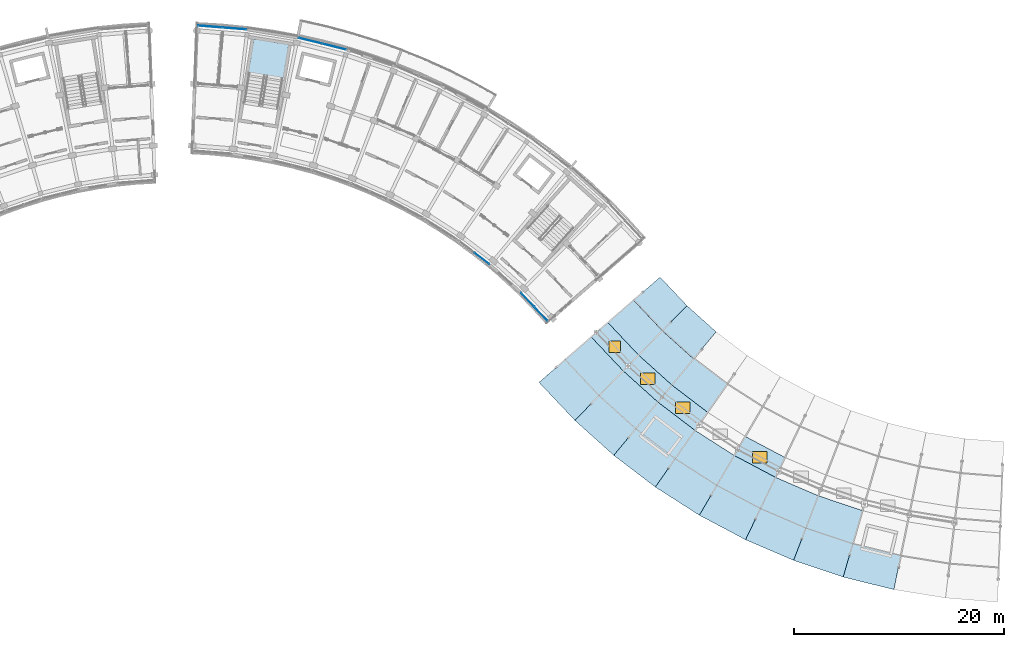
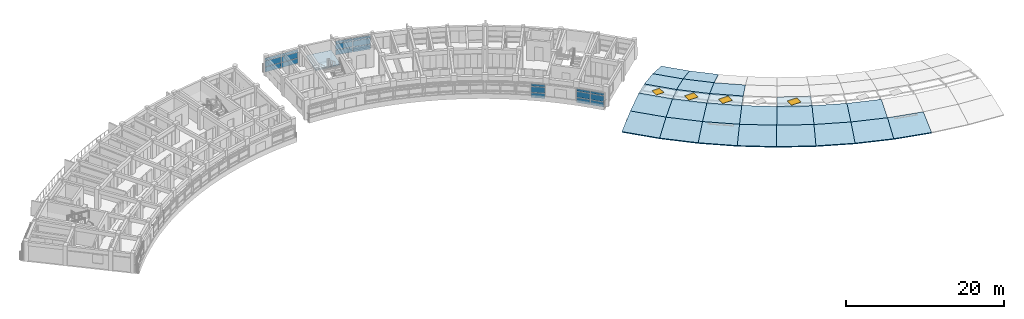
# One storey, part 21 of 40: 25 slabs, 21 plates, 4 windows, 4 openings, 5 elements without a shape of their own.
"""IFC4 building model written with IfcOpenShell, lengths in metres."""

from ifc_helpers import new_model, si_unit, direction, frame, origin, origin_2d, place, context, subcontext, project, spatial, polyline, rectangle, outline, extrude, material, layer, layer_set, type_object, element, fill, aggregate, save


model = new_model("IFC4")

# Units and contexts
model_context = context("Model", 3, precision=1e-05, world=origin(), true_north=direction((0.0, 1.0)))
body_context = subcontext(model_context, "Body", "Model", "MODEL_VIEW")
ifc_project = project(units=[si_unit("LENGTHUNIT", "METRE"), si_unit("AREAUNIT", "SQUARE_METRE"), si_unit("VOLUMEUNIT", "CUBIC_METRE"), si_unit("PLANEANGLEUNIT", "RADIAN"), si_unit("MASSUNIT", "GRAM", prefix="KILO")], contexts=[model_context])

# Site, building, storey
site_placement = place(None, origin())
site = spatial("IfcSite", under=ifc_project, at=site_placement, CompositionType="ELEMENT")
building_placement = place(site_placement, origin())
building = spatial("IfcBuilding", under=site, at=building_placement, Name="Zimvara Arc Housing Community", CompositionType="ELEMENT")
storey_placement = place(building_placement, frame((0.0, 0.0, 32.89990234375)))
storey = spatial("IfcBuildingStorey", under=building, at=storey_placement, Name="L10", CompositionType="ELEMENT", Elevation=32.89990234375)

# Curtain wall, plates
ifc_material_1 = material(Name="Anodised Aluminium AW-6063", Category="aluminium")
curtain_wall_type_1 = type_object("IfcCurtainWallType", Name="CW-SYS-04", PredefinedType="USERDEFINED", material=ifc_material_1)
curtain_wall_1_placement = place(storey_placement, origin())
curtain_wall_1 = element("IfcCurtainWall", 1, at=curtain_wall_1_placement, inside=storey, type_object=curtain_wall_type_1, Name="cw:blkB:L10:in:b9", ObjectType="CURTAIN WALL", PredefinedType="USERDEFINED")
ifc_material_2 = material(Name="Pale-Gold Anodised Aluminium Spandrel Panel", Category="aluminium")
ifc_layer_1 = layer(ifc_material_2, 0.035888671875)
ifc_layer_set_1 = layer_set([ifc_layer_1], Name="Pale-Gold Anodised Aluminium Spandrel Panel")
plate_type_1 = type_object("IfcPlateType", Name="CWP-GLD-36", PredefinedType="CURTAIN_PANEL", material=ifc_layer_set_1)
plate_1_placement = place(storey_placement, frame((78.826904296875, 77.68896484375, 0.065185546875), z_axis=(0.0, 0.0, 1.0), x_axis=(0.686326336018, -0.727293723669, 0.0)))
plate_1 = element("IfcPlate", 2, at=plate_1_placement, type_object=plate_type_1, Name="CW04 panel 1.1", PredefinedType="CURTAIN_PANEL", context=body_context, shape_type="SweptSolid", body=[
    extrude(rectangle(XDim=1.778564453125, YDim=0.035888671875, at=origin_2d()), origin(), (0.0, 0.0, 1.0), 0.75244140625),
])
plate_2_placement = place(storey_placement, frame((78.826904296875, 77.68896484375, 0.8828125), z_axis=(0.0, 0.0, 1.0), x_axis=(0.686326336018, -0.727293723669, 0.0)))
plate_2 = element("IfcPlate", 3, at=plate_2_placement, type_object=plate_type_1, Name="CW04 panel 1.2", PredefinedType="CURTAIN_PANEL", context=body_context, shape_type="SweptSolid", body=[
    extrude(rectangle(XDim=1.778564453125, YDim=0.035888671875, at=origin_2d()), origin(), (0.0, 0.0, 1.0), 0.885009765625),
])
plate_3_placement = place(storey_placement, frame((78.826904296875, 77.68896484375, 1.83251953125), z_axis=(0.0, 0.0, 1.0), x_axis=(0.686326336018, -0.727293723669, 0.0)))
plate_3 = element("IfcPlate", 4, at=plate_3_placement, type_object=plate_type_1, Name="CW04 panel 1.3", PredefinedType="CURTAIN_PANEL", context=body_context, shape_type="SweptSolid", body=[
    extrude(rectangle(XDim=1.778564453125, YDim=0.035888671875, at=origin_2d()), origin(), (0.0, 0.0, 1.0), 0.3525390625),
])
plate_4_placement = place(storey_placement, frame((80.09228515625, 76.34814453125, 0.065185546875), z_axis=(0.0, 0.0, 1.0), x_axis=(0.686326336018, -0.727293723669, 0.0)))
plate_4 = element("IfcPlate", 5, at=plate_4_placement, type_object=plate_type_1, Name="CW04 panel 2.1", PredefinedType="CURTAIN_PANEL", context=body_context, shape_type="SweptSolid", body=[
    extrude(rectangle(XDim=1.778564453125, YDim=0.035888671875, at=origin_2d()), origin(), (0.0, 0.0, 1.0), 0.75244140625),
])
plate_5_placement = place(storey_placement, frame((80.09228515625, 76.34814453125, 0.8828125), z_axis=(0.0, 0.0, 1.0), x_axis=(0.686326336018, -0.727293723669, 0.0)))
plate_5 = element("IfcPlate", 6, at=plate_5_placement, type_object=plate_type_1, Name="CW04 panel 2.2", PredefinedType="CURTAIN_PANEL", context=body_context, shape_type="SweptSolid", body=[
    extrude(rectangle(XDim=1.778564453125, YDim=0.035888671875, at=origin_2d()), origin(), (0.0, 0.0, 1.0), 0.885009765625),
])
plate_6_placement = place(storey_placement, frame((80.09228515625, 76.34814453125, 1.83251953125), z_axis=(0.0, 0.0, 1.0), x_axis=(0.686326336018, -0.727293723669, 0.0)))
plate_6 = element("IfcPlate", 7, at=plate_6_placement, type_object=plate_type_1, Name="CW04 panel 2.3", PredefinedType="CURTAIN_PANEL", context=body_context, shape_type="SweptSolid", body=[
    extrude(rectangle(XDim=1.778564453125, YDim=0.035888671875, at=origin_2d()), origin(), (0.0, 0.0, 1.0), 0.3525390625),
])
aggregate(curtain_wall_1, [plate_1, plate_2, plate_3, plate_4, plate_5, plate_6])

ifc_material_3 = material(Name="Anodised Aluminium AW-6063", Category="aluminium")
curtain_wall_type_2 = type_object("IfcCurtainWallType", Name="CW-SYS-01", PredefinedType="USERDEFINED", material=ifc_material_3)
curtain_wall_2_placement = place(storey_placement, origin())
curtain_wall_2 = element("IfcCurtainWall", 8, at=curtain_wall_2_placement, inside=storey, type_object=curtain_wall_type_2, Name="cw:blkB:L10:out:b2", ObjectType="CURTAIN WALL", PredefinedType="USERDEFINED")
ifc_material_4 = material(Name="Solar Control Low-E Double Glazing", Category="glass")
ifc_layer_2 = layer(ifc_material_4, 0.02392578125)
ifc_layer_set_2 = layer_set([ifc_layer_2], Name="Solar Control Low-E Double Glazing")
plate_type_2 = type_object("IfcPlateType", Name="CWP-GLZ-24", PredefinedType="CURTAIN_PANEL", material=ifc_layer_set_2)
plate_7_placement = place(storey_placement, frame((58.12109375, 102.373291015625, 0.065185546875), z_axis=(0.0, 0.0, 1.0), x_axis=(0.970716068627, -0.240229711131, 0.0)))
plate_7 = element("IfcPlate", 9, at=plate_7_placement, type_object=plate_type_2, Name="CW01 panel 1.1", PredefinedType="CURTAIN_PANEL", context=body_context, shape_type="SweptSolid", body=[
    extrude(rectangle(XDim=2.266845703125, YDim=0.02392578125, at=origin_2d()), origin(), (0.0, 0.0, 1.0), 0.75244140625),
])
plate_8_placement = place(storey_placement, frame((58.12109375, 102.373291015625, 0.8828125), z_axis=(0.0, 0.0, 1.0), x_axis=(0.970716068627, -0.240229711131, 0.0)))
plate_8 = element("IfcPlate", 10, at=plate_8_placement, type_object=plate_type_2, Name="CW01 panel 1.2", PredefinedType="CURTAIN_PANEL", context=body_context, shape_type="SweptSolid", body=[
    extrude(rectangle(XDim=2.266845703125, YDim=0.02392578125, at=origin_2d()), origin(), (0.0, 0.0, 1.0), 0.885009765625),
])
plate_9_placement = place(storey_placement, frame((58.12109375, 102.373291015625, 1.83251953125), z_axis=(0.0, 0.0, 1.0), x_axis=(0.970716068627, -0.240229711131, 0.0)))
plate_9 = element("IfcPlate", 11, at=plate_9_placement, type_object=plate_type_2, Name="CW01 panel 1.3", PredefinedType="CURTAIN_PANEL", context=body_context, shape_type="SweptSolid", body=[
    extrude(rectangle(XDim=2.266845703125, YDim=0.02392578125, at=origin_2d()), origin(), (0.0, 0.0, 1.0), 0.3525390625),
])
plate_10_placement = place(storey_placement, frame((60.384765625, 101.81298828125, 0.065185546875), z_axis=(0.0, 0.0, 1.0), x_axis=(0.970716068627, -0.240229711131, 0.0)))
plate_10 = element("IfcPlate", 12, at=plate_10_placement, type_object=plate_type_2, Name="CW01 panel 2.1", PredefinedType="CURTAIN_PANEL", context=body_context, shape_type="SweptSolid", body=[
    extrude(rectangle(XDim=2.266845703125, YDim=0.02392578125, at=origin_2d()), origin(), (0.0, 0.0, 1.0), 0.75244140625),
])
plate_11_placement = place(storey_placement, frame((60.384765625, 101.81298828125, 0.8828125), z_axis=(0.0, 0.0, 1.0), x_axis=(0.970716068627, -0.240229711131, 0.0)))
plate_11 = element("IfcPlate", 13, at=plate_11_placement, type_object=plate_type_2, Name="CW01 panel 2.2", PredefinedType="CURTAIN_PANEL", context=body_context, shape_type="SweptSolid", body=[
    extrude(rectangle(XDim=2.266845703125, YDim=0.02392578125, at=origin_2d()), origin(), (0.0, 0.0, 1.0), 0.885009765625),
])
plate_12_placement = place(storey_placement, frame((60.384765625, 101.81298828125, 1.83251953125), z_axis=(0.0, 0.0, 1.0), x_axis=(0.970716068627, -0.240229711131, 0.0)))
plate_12 = element("IfcPlate", 14, at=plate_12_placement, type_object=plate_type_2, Name="CW01 panel 2.3", PredefinedType="CURTAIN_PANEL", context=body_context, shape_type="SweptSolid", body=[
    extrude(rectangle(XDim=2.266845703125, YDim=0.02392578125, at=origin_2d()), origin(), (0.0, 0.0, 1.0), 0.3525390625),
])
aggregate(curtain_wall_2, [plate_7, plate_8, plate_9, plate_10, plate_11, plate_12])

ifc_material_5 = material(Name="Anodised Aluminium AW-6063", Category="aluminium")
curtain_wall_type_3 = type_object("IfcCurtainWallType", Name="CW-SYS-02", PredefinedType="USERDEFINED", material=ifc_material_5)
curtain_wall_3_placement = place(storey_placement, origin())
curtain_wall_3 = element("IfcCurtainWall", 15, at=curtain_wall_3_placement, inside=storey, type_object=curtain_wall_type_3, Name="cw:blkB:L10:in:b7", ObjectType="CURTAIN WALL", PredefinedType="USERDEFINED")
ifc_material_6 = material(Name="Solar Control Low-E Double Glazing", Category="glass")
ifc_layer_3 = layer(ifc_material_6, 0.028076171875)
ifc_layer_set_3 = layer_set([ifc_layer_3], Name="Solar Control Low-E Double Glazing")
plate_type_3 = type_object("IfcPlateType", Name="CWP-GLZ-28", PredefinedType="CURTAIN_PANEL", material=ifc_layer_set_3)
plate_13_placement = place(storey_placement, frame((74.4453125, 81.63134765625, 0.065185546875), z_axis=(0.0, 0.0, 1.0), x_axis=(0.795473930895, -0.605987809503, 0.0)))
plate_13 = element("IfcPlate", 16, at=plate_13_placement, type_object=plate_type_3, Name="CW02 panel 2.1", PredefinedType="CURTAIN_PANEL", context=body_context, shape_type="SweptSolid", body=[
    extrude(rectangle(XDim=1.778564453125, YDim=0.028076171875, at=origin_2d()), origin(), (0.0, 0.0, 1.0), 0.75244140625),
])
plate_14_placement = place(storey_placement, frame((74.4453125, 81.63134765625, 0.8828125), z_axis=(0.0, 0.0, 1.0), x_axis=(0.795473930895, -0.605987809503, 0.0)))
plate_14 = element("IfcPlate", 17, at=plate_14_placement, type_object=plate_type_3, Name="CW02 panel 2.2", PredefinedType="CURTAIN_PANEL", context=body_context, shape_type="SweptSolid", body=[
    extrude(rectangle(XDim=1.778564453125, YDim=0.028076171875, at=origin_2d()), origin(), (0.0, 0.0, 1.0), 0.885009765625),
])
plate_15_placement = place(storey_placement, frame((74.4453125, 81.63134765625, 1.83251953125), z_axis=(0.0, 0.0, 1.0), x_axis=(0.795473930895, -0.605987809503, 0.0)))
plate_15 = element("IfcPlate", 18, at=plate_15_placement, type_object=plate_type_3, Name="CW02 panel 2.3", PredefinedType="CURTAIN_PANEL", context=body_context, shape_type="SweptSolid", body=[
    extrude(rectangle(XDim=1.778564453125, YDim=0.028076171875, at=origin_2d()), origin(), (0.0, 0.0, 1.0), 0.3525390625),
])
aggregate(curtain_wall_3, [plate_13, plate_14, plate_15])

ifc_material_7 = material(Name="Anodised Aluminium AW-6063", Category="aluminium")
curtain_wall_type_4 = type_object("IfcCurtainWallType", Name="CW-SYS-07", PredefinedType="USERDEFINED", material=ifc_material_7)
curtain_wall_4_placement = place(storey_placement, origin())
curtain_wall_4 = element("IfcCurtainWall", 19, at=curtain_wall_4_placement, inside=storey, type_object=curtain_wall_type_4, Name="cw:blkB:L10:out:b0", ObjectType="CURTAIN WALL", PredefinedType="USERDEFINED")
ifc_material_8 = material(Name="Acoustic Laminated Solar Glazing", Category="glass")
ifc_layer_4 = layer(ifc_material_8, 0.031982421875)
ifc_layer_set_4 = layer_set([ifc_layer_4], Name="Acoustic Laminated Solar Glazing")
plate_type_4 = type_object("IfcPlateType", Name="CWP-GLZ-32", PredefinedType="CURTAIN_PANEL", material=ifc_layer_set_4)
plate_16_placement = place(storey_placement, frame((48.533935546875, 103.736572265625, 0.065185546875), z_axis=(0.0, 0.0, 1.0), x_axis=(0.996862418963, -0.079153759607, 0.0)))
plate_16 = element("IfcPlate", 20, at=plate_16_placement, type_object=plate_type_4, Name="CW07 panel 1.1", PredefinedType="CURTAIN_PANEL", context=body_context, shape_type="SweptSolid", body=[
    extrude(rectangle(XDim=2.266845703125, YDim=0.031982421875, at=origin_2d()), origin(), (0.0, 0.0, 1.0), 0.75244140625),
])
plate_17_placement = place(storey_placement, frame((48.533935546875, 103.736572265625, 0.8828125), z_axis=(0.0, 0.0, 1.0), x_axis=(0.996862418963, -0.079153759607, 0.0)))
plate_17 = element("IfcPlate", 21, at=plate_17_placement, type_object=plate_type_4, Name="CW07 panel 1.2", PredefinedType="CURTAIN_PANEL", context=body_context, shape_type="SweptSolid", body=[
    extrude(rectangle(XDim=2.266845703125, YDim=0.031982421875, at=origin_2d()), origin(), (0.0, 0.0, 1.0), 0.885009765625),
])
plate_18_placement = place(storey_placement, frame((48.533935546875, 103.736572265625, 1.83251953125), z_axis=(0.0, 0.0, 1.0), x_axis=(0.996862418963, -0.079153759607, 0.0)))
plate_18 = element("IfcPlate", 22, at=plate_18_placement, type_object=plate_type_4, Name="CW07 panel 1.3", PredefinedType="CURTAIN_PANEL", context=body_context, shape_type="SweptSolid", body=[
    extrude(rectangle(XDim=2.266845703125, YDim=0.031982421875, at=origin_2d()), origin(), (0.0, 0.0, 1.0), 0.3525390625),
])
plate_19_placement = place(storey_placement, frame((50.858642578125, 103.552001953125, 0.065185546875), z_axis=(0.0, 0.0, 1.0), x_axis=(0.996862418963, -0.079153759607, 0.0)))
plate_19 = element("IfcPlate", 23, at=plate_19_placement, type_object=plate_type_4, Name="CW07 panel 2.1", PredefinedType="CURTAIN_PANEL", context=body_context, shape_type="SweptSolid", body=[
    extrude(rectangle(XDim=2.266845703125, YDim=0.031982421875, at=origin_2d()), origin(), (0.0, 0.0, 1.0), 0.75244140625),
])
plate_20_placement = place(storey_placement, frame((50.858642578125, 103.552001953125, 0.8828125), z_axis=(0.0, 0.0, 1.0), x_axis=(0.996862418963, -0.079153759607, 0.0)))
plate_20 = element("IfcPlate", 24, at=plate_20_placement, type_object=plate_type_4, Name="CW07 panel 2.2", PredefinedType="CURTAIN_PANEL", context=body_context, shape_type="SweptSolid", body=[
    extrude(rectangle(XDim=2.266845703125, YDim=0.031982421875, at=origin_2d()), origin(), (0.0, 0.0, 1.0), 0.885009765625),
])
plate_21_placement = place(storey_placement, frame((50.858642578125, 103.552001953125, 1.83251953125), z_axis=(0.0, 0.0, 1.0), x_axis=(0.996862418963, -0.079153759607, 0.0)))
plate_21 = element("IfcPlate", 25, at=plate_21_placement, type_object=plate_type_4, Name="CW07 panel 2.3", PredefinedType="CURTAIN_PANEL", context=body_context, shape_type="SweptSolid", body=[
    extrude(rectangle(XDim=2.266845703125, YDim=0.031982421875, at=origin_2d()), origin(), (0.0, 0.0, 1.0), 0.3525390625),
])
aggregate(curtain_wall_4, [plate_16, plate_17, plate_18, plate_19, plate_20, plate_21])

# Slabs
ifc_material_9 = material(Name="Concrete C40/50", Category="concrete")
ifc_layer_5 = layer(ifc_material_9, 0.179931640625)
ifc_layer_set_5 = layer_set([ifc_layer_5], Name="Concrete C40/50")
slab_type_1 = type_object("IfcSlabType", Name="SLB-BRL-ROOF-180", PredefinedType="ROOF", material=ifc_layer_set_5)
slab_1_placement = place(storey_placement, frame((91.4521484375, 79.84521484375, 0.1201171875), z_axis=(0.211083328585, 0.199193243861, 0.956956571634), x_axis=(0.686322533691, -0.727297311796, 1.531829e-06)))
element("IfcSlab", 26, at=slab_1_placement, inside=storey, type_object=slab_type_1, Name="roof:blkC:in1:b0:t0", PredefinedType="ROOF", context=body_context, shape_type="SweptSolid", body=[
    extrude(outline(polyline([(0.0, 0.0), (3.7358034745605577, -2.220446049250313e-16), (3.870408277115803, -3.4455091182631974), (-0.13498802505948287, -3.445549976010742), (0.0, 0.0)])), origin(), (0.0, 0.0, -1.0), 0.179931640625),
])
slab_2_placement = place(storey_placement, frame((88.96142578125, 77.680419921875, 1.1201171875), z_axis=(0.130227289342, 0.122888904772, 0.983838996073), x_axis=(0.686329560506, -0.727290680792, -2.930405e-06)))
element("IfcSlab", 27, at=slab_2_placement, inside=storey, type_object=slab_type_1, Name="roof:blkC:in2:b0:t0", PredefinedType="ROOF", context=body_context, shape_type="SweptSolid", body=[
    extrude(outline(polyline([(0.0, 0.0), (4.005396302370371, 0.0), (4.140143519555409, -3.3515316997951), (-0.13467804989970555, -3.351396186473663), (0.0, 0.0)])), origin(), (0.0, 0.0, -1.0), 0.179931640625),
])
slab_3_placement = place(storey_placement, frame((83.326416015625, 66.181884765625, 0.1201171875), z_axis=(-0.211087616709, -0.199189287034, 0.956956449376), x_axis=(-0.686314065918, 0.727305302415, -1.019738e-06)))
element("IfcSlab", 28, at=slab_3_placement, inside=storey, type_object=slab_type_1, Name="roof:blkC:out2:b0:t0", PredefinedType="ROOF", context=body_context, shape_type="SweptSolid", body=[
    extrude(outline(polyline([(0.0, 0.0), (4.985160245593538, 0.0), (4.850553179807758, -3.445541803077262), (0.13464063939912144, -3.4455077180490408), (0.0, 0.0)])), origin(), (0.0, 0.0, -1.0), 0.179931640625),
])
slab_4_placement = place(storey_placement, frame((85.632080078125, 68.542724609375, 1.1201171875), z_axis=(-0.130227076545, -0.122889130265, 0.983838996075), x_axis=(-0.686309128275, 0.727309961736, 2.497613e-06)))
element("IfcSlab", 29, at=slab_4_placement, inside=storey, type_object=slab_type_1, Name="roof:blkC:out1:b0:t0", PredefinedType="ROOF", context=body_context, shape_type="SweptSolid", body=[
    extrude(outline(polyline([(0.0, 0.0), (4.71591254051961, 4.440892098500626e-16), (4.581330377989578, -3.351400038396302), (0.13484310831421709, -3.3515278431500013), (0.0, 0.0)])), origin(), (0.0, 0.0, -1.0), 0.179931640625),
])
slab_5_placement = place(storey_placement, frame((94.01611328125, 77.128173828125, 0.1201171875), z_axis=(0.194129981956, 0.215749813979, 0.956956408555), x_axis=(0.743375008611, -0.668874873627, -1.826047e-06)))
element("IfcSlab", 30, at=slab_5_placement, inside=storey, type_object=slab_type_1, Name="roof:blkC:in1:b1:t0", PredefinedType="ROOF", context=body_context, shape_type="SweptSolid", body=[
    extrude(outline(polyline([(0.0, 0.0), (3.735797132451263, 0.0), (3.8706087488688743, -3.445547515320404), (-0.13486841621906676, -3.4454988096351555), (0.0, 0.0)])), origin(), (0.0, 0.0, -1.0), 0.179931640625),
])
slab_6_placement = place(storey_placement, frame((91.71044921875, 74.767333984375, 1.1201171875), z_axis=(0.119764923163, 0.133105572058, 0.983839046728), x_axis=(0.743367226863, -0.668883522011, 2.851107e-06)))
element("IfcSlab", 31, at=slab_6_placement, inside=storey, type_object=slab_type_1, Name="roof:blkC:in2:b1:t0", PredefinedType="ROOF", context=body_context, shape_type="SweptSolid", body=[
    extrude(outline(polyline([(0.0, 0.0), (4.00547716537359, 2.220446049250313e-16), (4.140330678896816, -3.351403225381123), (-0.13466321804383147, -3.3515350758994322), (0.0, 0.0)])), origin(), (0.0, 0.0, -1.0), 0.179931640625),
])
slab_7_placement = place(storey_placement, frame((87.032470703125, 62.847412109375, 0.1201171875), z_axis=(-0.194122073466, -0.215756929981, 0.956956408494), x_axis=(-0.74339187423, 0.668856129019, 1.643725e-06)))
element("IfcSlab", 32, at=slab_7_placement, inside=storey, type_object=slab_type_1, Name="roof:blkC:out2:b1:t0", PredefinedType="ROOF", context=body_context, shape_type="SweptSolid", body=[
    extrude(outline(polyline([(0.0, 0.0), (4.985333413318143, -4.440892098500626e-16), (4.850385327401174, -3.4454956901693476), (0.13473194535446026, -3.445550631630629), (0.0, 0.0)])), origin(), (0.0, 0.0, -1.0), 0.179931640625),
])
slab_8_placement = place(storey_placement, frame((89.1376953125, 65.388671875, 1.1201171875), z_axis=(-0.119768131478, -0.133109101782, 0.983838178617), x_axis=(-0.743398976442, 0.668848235245, -5.812469e-06)))
element("IfcSlab", 33, at=slab_8_placement, inside=storey, type_object=slab_type_1, Name="roof:blkC:out1:b1:t0", PredefinedType="ROOF", context=body_context, shape_type="SweptSolid", body=[
    extrude(outline(polyline([(0.0, 0.0), (4.715653382292249, -4.440892098500626e-16), (4.580828446376637, -3.3515285741422605), (0.13452850867299015, -3.3512311676497424), (0.0, 0.0)])), origin(), (0.0, 0.0, -1.0), 0.179931640625),
])
slab_9_placement = place(storey_placement, frame((94.68798828125, 72.088134765625, 1.1201171875), z_axis=(0.10851077659, 0.142438873629, 0.983837679012), x_axis=(0.795457313485, -0.606009622373, 3.696941e-06)))
element("IfcSlab", 34, at=slab_9_placement, inside=storey, type_object=slab_type_1, Name="roof:blkC:in2:b2:t0", PredefinedType="ROOF", context=body_context, shape_type="SweptSolid", body=[
    extrude(outline(polyline([(0.0, 0.0), (4.005289454740953, 2.220446049250313e-16), (4.140045504830647, -3.3512430220372003), (-0.13458622261184014, -3.351413969923121), (0.0, 0.0)])), origin(), (0.0, 0.0, -1.0), 0.179931640625),
])
slab_10_placement = place(storey_placement, frame((90.998046875, 59.826416015625, 0.1201171875), z_axis=(-0.175884932453, -0.230870886419, 0.956955131832), x_axis=(-0.795469057524, 0.605994206655, -4.808789e-06)))
element("IfcSlab", 35, at=slab_10_placement, inside=storey, type_object=slab_type_1, Name="roof:blkC:out2:b2:t0", PredefinedType="ROOF", context=body_context, shape_type="SweptSolid", body=[
    extrude(outline(polyline([(0.0, 0.0), (4.985199271119258, 0.0), (4.850542122008564, -3.445553555507209), (0.13468512690279225, -3.445392823023551), (0.0, 0.0)])), origin(), (0.0, 0.0, -1.0), 0.179931640625),
])
slab_11_placement = place(storey_placement, frame((92.888916015625, 62.53076171875, 1.1201171875), z_axis=(-0.10850784051, -0.142436222089, 0.98383838672), x_axis=(-0.79544911837, 0.606020379225, 6.898751e-06)))
element("IfcSlab", 36, at=slab_11_placement, inside=storey, type_object=slab_type_1, Name="roof:blkC:out1:b2:t0", PredefinedType="ROOF", context=body_context, shape_type="SweptSolid", body=[
    extrude(outline(polyline([(0.0, 0.0), (4.715856997795526, 8.881784197001252e-16), (4.581169330900257, -3.35122477472667), (0.13475631037320535, -3.351577777434629), (0.0, 0.0)])), origin(), (0.0, 0.0, -1.0), 0.179931640625),
])
slab_12_placement = place(storey_placement, frame((95.197021484375, 57.138916015625, 0.1201171875), z_axis=(-0.15645556572, -0.244456343302, 0.956954937379), x_axis=(-0.842257907057, 0.53907477958, 4.506013e-06)))
element("IfcSlab", 37, at=slab_12_placement, inside=storey, type_object=slab_type_1, Name="roof:blkC:out2:b3:t0", PredefinedType="ROOF", context=body_context, shape_type="SweptSolid", body=[
    extrude(outline(polyline([(0.0, 0.0), (4.985383036399999, 0.0), (4.850632621330447, -3.445390270211214), (0.1349244926923935, -3.4455408826821565), (0.0, 0.0)])), origin(), (0.0, 0.0, -1.0), 0.179931640625),
])
slab_13_placement = place(storey_placement, frame((96.86083984375, 59.98876953125, 1.1201171875), z_axis=(-0.09651754342, -0.150809556202, 0.983839845488), x_axis=(-0.842275087561, 0.539047935599, -7.5459e-07)))
element("IfcSlab", 38, at=slab_13_placement, inside=storey, type_object=slab_type_1, Name="roof:blkC:out1:b3:t0", PredefinedType="ROOF", context=body_context, shape_type="SweptSolid", body=[
    extrude(outline(polyline([(0.0, 0.0), (4.71570813110026, -4.440892098500626e-16), (4.580773645637387, -3.3515706089969703), (0.1346088136370126, -3.3515319972724886), (0.0, 0.0)])), origin(), (0.0, 0.0, -1.0), 0.179931640625),
])
slab_14_placement = place(storey_placement, frame((99.60107421875, 54.80322265625, 0.1201171875), z_axis=(-0.135988231585, -0.256404064967, 0.956955671042), x_axis=(-0.883444102055, 0.468536571179, -3.469029e-06)))
element("IfcSlab", 39, at=slab_14_placement, inside=storey, type_object=slab_type_1, Name="roof:blkC:out2:b4:t0", PredefinedType="ROOF", context=body_context, shape_type="SweptSolid", body=[
    extrude(outline(polyline([(0.0, 0.0), (4.985092171249978, 0.0), (4.850458780313674, -3.4455522696995775), (0.13446803145870181, -3.445436317329009), (0.0, 0.0)])), origin(), (0.0, 0.0, -1.0), 0.179931640625),
])
slab_15_placement = place(storey_placement, frame((101.027099609375, 57.779052734375, 1.1201171875), z_axis=(-0.083900521572, -0.158182422076, 0.983838921687), x_axis=(-0.883432325142, 0.468558776341, -2.714598e-06)))
element("IfcSlab", 40, at=slab_15_placement, inside=storey, type_object=slab_type_1, Name="roof:blkC:out1:b4:t0", PredefinedType="ROOF", context=body_context, shape_type="SweptSolid", body=[
    extrude(outline(polyline([(0.0, 0.0), (4.715990750297108, -4.440892098500626e-16), (4.581226393747816, -3.3515257465067614), (0.13488282038118998, -3.351386839801312), (0.0, 0.0)])), origin(), (0.0, 0.0, -1.0), 0.179931640625),
])
slab_16_placement = place(storey_placement, frame((104.18115234375, 52.83447265625, 0.1201171875), z_axis=(-0.114608452847, -0.266643055231, 0.956956834781), x_axis=(-0.918719812032, 0.394909998516, 7.264997e-06)))
element("IfcSlab", 41, at=slab_16_placement, inside=storey, type_object=slab_type_1, Name="roof:blkC:out2:b5:t0", PredefinedType="ROOF", context=body_context, shape_type="SweptSolid", body=[
    extrude(outline(polyline([(0.0, 0.0), (4.985287573668254, 0.0), (4.850362111572956, -3.4454184342147167), (0.1346442543967657, -3.4456612682038372), (0.0, 0.0)])), origin(), (0.0, 0.0, -1.0), 0.179931640625),
])
slab_17_placement = place(storey_placement, frame((105.359619140625, 55.9169921875, 1.1201171875), z_axis=(-0.07070892196, -0.164511924647, 0.983837423055), x_axis=(-0.918739941904, 0.394863165082, -3.46764e-06)))
element("IfcSlab", 42, at=slab_17_placement, inside=storey, type_object=slab_type_1, Name="roof:blkC:out1:b5:t0", PredefinedType="ROOF", context=body_context, shape_type="SweptSolid", body=[
    extrude(outline(polyline([(0.0, 0.0), (4.7157178635510935, 2.220446049250313e-16), (4.58093568537092, -3.351390888805046), (0.13459472072146908, -3.351213462205548), (0.0, 0.0)])), origin(), (0.0, 0.0, -1.0), 0.179931640625),
])
slab_18_placement = place(storey_placement, frame((108.90673828125, 51.24609375, 0.1201171875), z_axis=(-0.09247516738, -0.275102849647, 0.95695703432), x_axis=(-0.947886389233, 0.318608526361, -6.101609e-06)))
element("IfcSlab", 43, at=slab_18_placement, inside=storey, type_object=slab_type_1, Name="roof:blkC:out2:b6:t0", PredefinedType="ROOF", context=body_context, shape_type="SweptSolid", body=[
    extrude(outline(polyline([(0.0, 0.0), (4.985389653929499, 0.0), (4.8504479207308995, -3.4456496309847706), (0.13465510329541425, -3.445445679281157), (0.0, 0.0)])), origin(), (0.0, 0.0, -1.0), 0.179931640625),
])
slab_19_placement = place(storey_placement, frame((109.82958984375, 54.414306640625, 1.1201171875), z_axis=(-0.05705796562, -0.169732894551, 0.983836944349), x_axis=(-0.94787267234, 0.318649332383, 1.613257e-06)))
element("IfcSlab", 44, at=slab_19_placement, inside=storey, type_object=slab_type_1, Name="roof:blkC:out1:b6:t0", PredefinedType="ROOF", context=body_context, shape_type="SweptSolid", body=[
    extrude(outline(polyline([(0.0, 0.0), (4.715792821946596, 0.0), (4.581153727709828, -3.3512116797709686), (0.13480411383613705, -3.3512942238187495), (0.0, 0.0)])), origin(), (0.0, 0.0, -1.0), 0.179931640625),
])
slab_20_placement = place(storey_placement, frame((113.745849609375, 50.04833984375, 0.1201171875), z_axis=(-0.069725652588, -0.281729325999, 0.956957115154), x_axis=(-0.970707813249, 0.240263066781, 6.182216e-06)))
element("IfcSlab", 45, at=slab_20_placement, inside=storey, type_object=slab_type_1, Name="roof:blkC:out2:b7:t0", PredefinedType="ROOF", context=body_context, shape_type="SweptSolid", body=[
    extrude(outline(polyline([(0.0, 0.0), (4.985139202157513, 0.0), (4.850530707500774, -3.4454475005229974), (0.13480997305651474, -3.445654139877289), (0.0, 0.0)])), origin(), (0.0, 0.0, -1.0), 0.179931640625),
])

# Slab, opening, window
ifc_material_10 = material(Name="Concrete C40/50", Category="concrete")
ifc_layer_6 = layer(ifc_material_10, 0.205078125)
ifc_layer_set_6 = layer_set([ifc_layer_6], Name="Concrete C40/50")
slab_type_2 = type_object("IfcSlabType", Name="SLB-CURB-ROOF-205", PredefinedType="ROOF", material=ifc_layer_set_6)
slab_21_placement = place(storey_placement, frame((0.0, 0.0, 1.51513671875)))
slab_21 = element("IfcSlab", 46, at=slab_21_placement, inside=storey, type_object=slab_type_2, Name="roof:blkC:curb:b0", PredefinedType="ROOF", context=body_context, shape_type="SweptSolid", body=[
    extrude(outline(polyline([(84.885986328125, 74.1376953125), (87.937744140625, 70.90380859375), (89.40478515625, 72.40625), (86.470947265625, 75.515380859375), (84.885986328125, 74.1376953125)])), origin(), (0.0, 0.0, 1.0), 0.205078125),
])
opening_1_placement = place(slab_21_placement, frame((87.142578125, 73.210205078125, 0.0)))
opening_1 = element("IfcOpeningElement", 47, at=opening_1_placement, cuts=slab_21, Name="Opening SK4", PredefinedType="OPENING", context=body_context, shape_type="SweptSolid", body=[
    extrude(rectangle(XDim=1.10009765625, YDim=1.10009765625, at=origin_2d()), origin(), (0.0, 0.0, 1.0), 0.205078125),
])
ifc_material_11 = material(Name="Solar Control Low-E Double Glazing", Category="glass")
window_type_1 = type_object("IfcWindowType", Name="SKY-HTCH-1100x1100", PartitioningType="SINGLE_PANEL", PredefinedType="SKYLIGHT", material=ifc_material_11)
window_1_placement = place(opening_1_placement, frame((0.0, 0.0, 0.155029296875)))
window_1 = element("IfcWindow", 48, at=window_1_placement, inside=storey, type_object=window_type_1, Name="ROOF ACCESS HATCH", OverallHeight=1.10009765625, OverallWidth=1.10009765625, PartitioningType="SINGLE_PANEL", PredefinedType="SKYLIGHT", context=body_context, shape_type="SweptSolid", body=[
    extrude(rectangle(XDim=1.10009765625, YDim=1.10009765625, at=origin_2d()), origin(), (0.0, 0.0, 1.0), 0.050048828125),
])
fill(opening_1, window_1)

slab_22_placement = place(storey_placement, frame((0.0, 0.0, 1.51513671875)))
slab_22 = element("IfcSlab", 49, at=slab_22_placement, inside=storey, type_object=slab_type_2, Name="roof:blkC:curb:b1", PredefinedType="ROOF", context=body_context, shape_type="SweptSolid", body=[
    extrude(outline(polyline([(87.937744140625, 70.90380859375), (91.242919921875, 67.9296875), (92.582763671875, 69.546875), (89.40478515625, 72.40625), (87.937744140625, 70.90380859375)])), origin(), (0.0, 0.0, 1.0), 0.205078125),
])
opening_2_placement = place(slab_22_placement, frame((90.26220703125, 70.16357421875, 0.0)))
opening_2 = element("IfcOpeningElement", 50, at=opening_2_placement, cuts=slab_22, Name="Opening SK1", PredefinedType="OPENING", context=body_context, shape_type="SweptSolid", body=[
    extrude(rectangle(XDim=1.39990234375, YDim=1.10009765625, at=origin_2d()), origin(), (0.0, 0.0, 1.0), 0.205078125),
])
ifc_material_12 = material(Name="Solar Control Low-E Double Glazing", Category="glass")
window_type_2 = type_object("IfcWindowType", Name="SKY-BRL-2200x1200", PartitioningType="SINGLE_PANEL", PredefinedType="SKYLIGHT", material=ifc_material_12)
window_2_placement = place(opening_2_placement, frame((0.0, 0.0, 0.155029296875)))
window_2 = element("IfcWindow", 51, at=window_2_placement, inside=storey, type_object=window_type_2, Name="sky:blkC:b1", OverallHeight=1.10009765625, OverallWidth=1.39990234375, PartitioningType="SINGLE_PANEL", PredefinedType="SKYLIGHT", context=body_context, shape_type="SweptSolid", body=[
    extrude(rectangle(XDim=1.39990234375, YDim=1.10009765625, at=origin_2d()), origin(), (0.0, 0.0, 1.0), 0.050048828125),
])
fill(opening_2, window_2)

slab_23_placement = place(storey_placement, frame((0.0, 0.0, 1.51513671875)))
slab_23 = element("IfcSlab", 52, at=slab_23_placement, inside=storey, type_object=slab_type_2, Name="roof:blkC:curb:b2", PredefinedType="ROOF", context=body_context, shape_type="SweptSolid", body=[
    extrude(outline(polyline([(91.242919921875, 67.9296875), (94.780029296875, 65.2353515625), (95.983154296875, 66.95654296875), (92.582763671875, 69.546875), (91.242919921875, 67.9296875)])), origin(), (0.0, 0.0, 1.0), 0.205078125),
])
opening_3_placement = place(slab_23_placement, frame((93.6201171875, 67.3818359375, 0.0)))
opening_3 = element("IfcOpeningElement", 53, at=opening_3_placement, cuts=slab_23, Name="Opening SK2", PredefinedType="OPENING", context=body_context, shape_type="SweptSolid", body=[
    extrude(rectangle(XDim=1.39990234375, YDim=1.10009765625, at=origin_2d()), origin(), (0.0, 0.0, 1.0), 0.205078125),
])
ifc_material_13 = material(Name="Solar Control Low-E Double Glazing", Category="glass")
window_type_3 = type_object("IfcWindowType", Name="SKY-BRL-2000x1100", PartitioningType="SINGLE_PANEL", PredefinedType="SKYLIGHT", material=ifc_material_13)
window_3_placement = place(opening_3_placement, frame((0.0, 0.0, 0.155029296875)))
window_3 = element("IfcWindow", 54, at=window_3_placement, inside=storey, type_object=window_type_3, Name="sky:blkC:b2", OverallHeight=1.10009765625, OverallWidth=1.39990234375, PartitioningType="SINGLE_PANEL", PredefinedType="SKYLIGHT", context=body_context, shape_type="SweptSolid", body=[
    extrude(rectangle(XDim=1.39990234375, YDim=1.10009765625, at=origin_2d()), origin(), (0.0, 0.0, 1.0), 0.050048828125),
])
fill(opening_3, window_3)

slab_24_placement = place(storey_placement, frame((0.0, 0.0, 1.51513671875)))
slab_24 = element("IfcSlab", 55, at=slab_24_placement, inside=storey, type_object=slab_type_2, Name="roof:blkC:curb:b4", PredefinedType="ROOF", context=body_context, shape_type="SweptSolid", body=[
    extrude(outline(polyline([(98.52490234375, 62.838623046875), (102.452880859375, 60.755126953125), (103.3603515625, 62.649169921875), (99.583740234375, 64.652099609375), (98.52490234375, 62.838623046875)])), origin(), (0.0, 0.0, 1.0), 0.205078125),
])
opening_4_placement = place(slab_24_placement, frame((100.959716796875, 62.684326171875, 0.0)))
opening_4 = element("IfcOpeningElement", 56, at=opening_4_placement, cuts=slab_24, Name="Opening SK1", PredefinedType="OPENING", context=body_context, shape_type="SweptSolid", body=[
    extrude(rectangle(XDim=1.39990234375, YDim=1.10009765625, at=origin_2d()), origin(), (0.0, 0.0, 1.0), 0.205078125),
])
window_4_placement = place(opening_4_placement, frame((0.0, 0.0, 0.155029296875)))
window_4 = element("IfcWindow", 57, at=window_4_placement, inside=storey, type_object=window_type_2, Name="sky:blkC:b4", OverallHeight=1.10009765625, OverallWidth=1.39990234375, PartitioningType="SINGLE_PANEL", PredefinedType="SKYLIGHT", context=body_context, shape_type="SweptSolid", body=[
    extrude(rectangle(XDim=1.39990234375, YDim=1.10009765625, at=origin_2d()), origin(), (0.0, 0.0, 1.0), 0.050048828125),
])
fill(opening_4, window_4)

# Stair, slab
ifc_material_14 = material(Name="Concrete C35/45", Category="concrete")
stair_type = type_object("IfcStairType", Name="STR-DL-315-310", PredefinedType="HALF_TURN_STAIR", material=ifc_material_14)
stair_placement = place(storey_placement, origin())
stair = element("IfcStair", 58, at=stair_placement, inside=storey, type_object=stair_type, Name="L10 Block B Exit Stair 1", PredefinedType="HALF_TURN_STAIR")
ifc_material_15 = material(Name="Concrete C35/45", Category="concrete")
ifc_layer_7 = layer(ifc_material_15, 0.199951171875)
ifc_layer_set_7 = layer_set([ifc_layer_7], Name="Concrete C35/45")
slab_type_3 = type_object("IfcSlabType", Name="SLB-STAIR-LND-200", PredefinedType="LANDING", material=ifc_layer_set_7)
slab_25_placement = place(storey_placement, frame((0.0, 0.0, 1.35009765625)))
slab_25 = element("IfcSlab", 59, at=slab_25_placement, type_object=slab_type_3, Name="ST-B1 landing 1", PredefinedType="LANDING", context=body_context, shape_type="SweptSolid", body=[
    extrude(outline(polyline([(55.501953125, 98.712646484375), (56.037841796875, 102.014404296875), (52.721435546875, 102.552978515625), (52.185302734375, 99.2509765625), (55.501953125, 98.712646484375)])), origin(), (0.0, 0.0, 1.0), 0.199951171875),
])
aggregate(stair, [slab_25])

save(model, "model.ifc")
